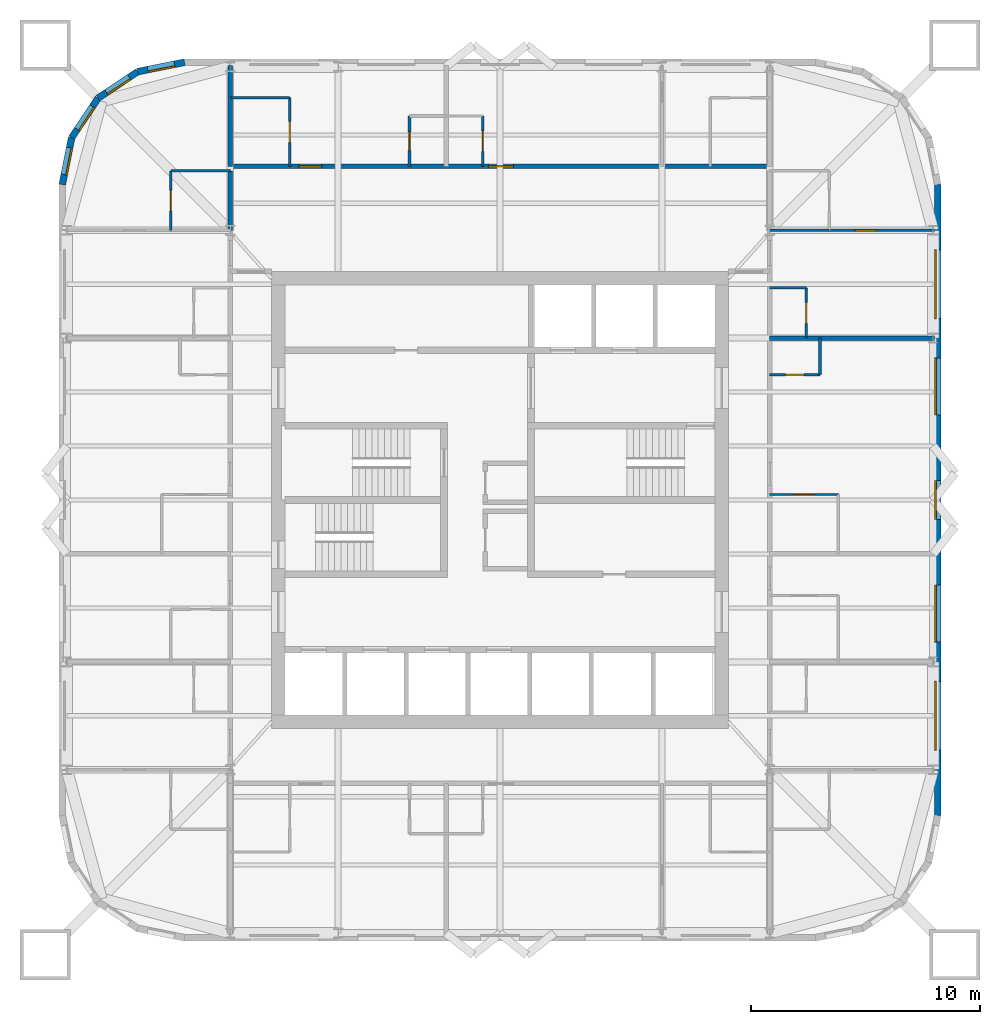
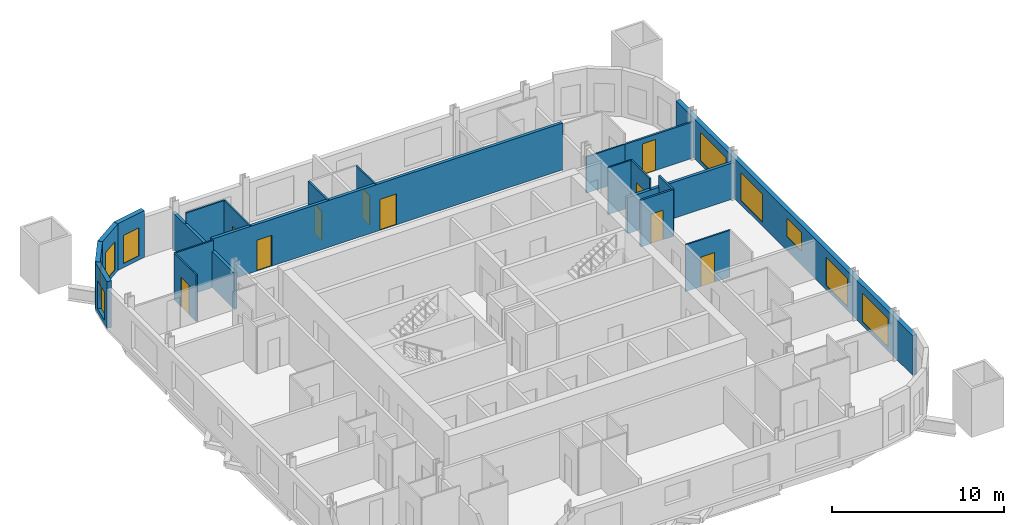
# One storey, part 6 of 8: 22 walls, 10 doors, 9 windows, 19 openings.
"""IFC4 building model written with IfcOpenShell, lengths in metres."""

from ifc_helpers import new_model, si_unit, direction, frame, frame_2d, origin, place, context, subcontext, project, spatial, rectangle, extrude, material, layer, layer_set, type_object, element, fill, save


model = new_model("IFC4")

# Units and contexts
model_context = context("Model", 3, precision=1e-05, world=origin(), true_north=direction((0.0, 1.0)))
body_context = subcontext(model_context, "Body", "Model", "MODEL_VIEW")
ifc_project = project(units=[si_unit("LENGTHUNIT", "METRE"), si_unit("AREAUNIT", "SQUARE_METRE"), si_unit("VOLUMEUNIT", "CUBIC_METRE"), si_unit("PLANEANGLEUNIT", "RADIAN"), si_unit("MASSUNIT", "GRAM", prefix="KILO")], contexts=[model_context])

# Site, building, storey
site_placement = place(None, origin())
site = spatial("IfcSite", under=ifc_project, at=site_placement, CompositionType="ELEMENT")
building_placement = place(site_placement, origin())
building = spatial("IfcBuilding", under=site, at=building_placement, Name="Turquesa Mirador Hotel Tower", CompositionType="ELEMENT")
storey_placement = place(building_placement, frame((0.0, 0.0, 193.300048828125)))
storey = spatial("IfcBuildingStorey", under=building, at=storey_placement, Name="L52", CompositionType="ELEMENT", Elevation=193.300048828125)

# Wall, opening, door
ifc_material_1 = material(Name="Gypsum board on steel studs", Category="steel")
ifc_layer_1 = layer(ifc_material_1, 0.10009765625)
ifc_layer_set_1 = layer_set([ifc_layer_1], Name="BATHROOM WALL 100")
wall_type_1 = type_object("IfcWallType", Name="BATHROOM WALL 100", PredefinedType="PARTITIONING", material=ifc_layer_set_1)
wall_1_placement = place(storey_placement, frame((66.800048828125, 45.239990234375, 0.0), z_axis=(0.0, 0.0, 1.0), x_axis=(1.0, 0.0, 0.0)))
wall_1 = element("IfcWall", 1, at=wall_1_placement, inside=storey, type_object=wall_type_1, Name="Partition L52 021", PredefinedType="PARTITIONING", context=body_context, shape_type="SweptSolid", body=[
    extrude(rectangle(XDim=3.0, YDim=0.10009765625, at=frame_2d((1.5, 0.0))), origin(), (0.0, 0.0, 1.0), 3.329833984375),
])
opening_1_placement = place(wall_1_placement, frame((1.050048828125, 0.0, 0.0)))
opening_1 = element("IfcOpeningElement", 2, at=opening_1_placement, cuts=wall_1, Name="Opening D02", PredefinedType="OPENING", context=body_context, shape_type="SweptSolid", body=[
    extrude(rectangle(XDim=0.89990234375, YDim=2.10009765625, at=frame_2d((0.449951171875, 1.050048828125))), frame((0.0, 0.06005859375, 0.0), z_axis=(0.0, -1.0, 0.0), x_axis=(1.0, 0.0, 0.0)), (0.0, 0.0, 1.0), 0.1201171875),
])
ifc_material_2 = material(Name="Timber veneered door", Category="wood")
door_type_1 = type_object("IfcDoorType", Name="DOOR 900X2100 EN-SUITE", OperationType="SINGLE_SWING_RIGHT", PredefinedType="DOOR", material=ifc_material_2)
door_1_placement = place(opening_1_placement, origin())
door_1 = element("IfcDoor", 3, at=door_1_placement, inside=storey, type_object=door_type_1, Name="Door 5206B", OperationType="SINGLE_SWING_RIGHT", OverallHeight=2.10009765625, OverallWidth=0.89990234375, PredefinedType="DOOR", context=body_context, shape_type="SweptSolid", body=[
    extrude(rectangle(XDim=0.89990234375, YDim=2.10009765625, at=frame_2d((0.449951171875, 1.050048828125))), frame((0.0, 0.02490234375, 0.0), z_axis=(0.0, -1.0, 0.0), x_axis=(1.0, 0.0, 0.0)), (0.0, 0.0, 1.0), 0.050048828125),
])
fill(opening_1, door_1)

# Walls
wall_2_placement = place(storey_placement, frame((66.800048828125, 56.800048828125, 0.0), z_axis=(0.0, 0.0, 1.0), x_axis=(1.0, 0.0, 0.0)))
element("IfcWall", 4, at=wall_2_placement, inside=storey, type_object=wall_type_1, Name="Partition L52 025", PredefinedType="PARTITIONING", context=body_context, shape_type="SweptSolid", body=[
    extrude(rectangle(XDim=2.599853515625, YDim=0.10009765625, at=frame_2d((1.2998046875, 0.0))), origin(), (0.0, 0.0, 1.0), 2.572998046875),
])
wall_3_placement = place(storey_placement, frame((40.60009765625, 59.39990234375, 0.0), z_axis=(0.0, 0.0, 1.0), x_axis=(1.0, 0.0, 0.0)))
element("IfcWall", 5, at=wall_3_placement, inside=storey, type_object=wall_type_1, Name="Partition L52 028", PredefinedType="PARTITIONING", context=body_context, shape_type="SweptSolid", body=[
    extrude(rectangle(XDim=2.599853515625, YDim=0.10009765625, at=frame_2d((1.2998046875, 0.0))), origin(), (0.0, 0.0, 1.0), 3.329833984375),
])
wall_4_placement = place(storey_placement, frame((43.199951171875, 62.60009765625, 0.0), z_axis=(0.0, 0.0, 1.0), x_axis=(1.0, 0.0, 0.0)))
element("IfcWall", 6, at=wall_4_placement, inside=storey, type_object=wall_type_1, Name="Partition L52 033", PredefinedType="PARTITIONING", context=body_context, shape_type="SweptSolid", body=[
    extrude(rectangle(XDim=2.60009765625, YDim=0.10009765625, at=frame_2d((1.300048828125, 0.0))), origin(), (0.0, 0.0, 1.0), 3.329833984375),
])
wall_5_placement = place(storey_placement, frame((66.800048828125, 54.280029296875, 0.0), z_axis=(0.0, 0.0, 1.0), x_axis=(1.0, 0.0, 0.0)))
element("IfcWall", 7, at=wall_5_placement, inside=storey, type_object=wall_type_1, Name="Partition L52 040", PredefinedType="PARTITIONING", context=body_context, shape_type="SweptSolid", body=[
    extrude(rectangle(XDim=1.599853515625, YDim=0.10009765625, at=frame_2d((0.7998046875, 0.0))), origin(), (0.0, 0.0, 1.0), 3.329833984375),
])

# Wall, opening, door
wall_6_placement = place(storey_placement, frame((54.239990234375, 59.60009765625, 0.0), z_axis=(0.0, 0.0, 1.0), x_axis=(0.0, 1.0, 0.0)))
wall_6 = element("IfcWall", 8, at=wall_6_placement, inside=storey, type_object=wall_type_1, Name="Partition L52 042", PredefinedType="PARTITIONING", context=body_context, shape_type="SweptSolid", body=[
    extrude(rectangle(XDim=2.199951171875, YDim=0.10009765625, at=frame_2d((1.10009765625, 0.0))), origin(), (0.0, 0.0, 1.0), 3.329833984375),
])
opening_2_placement = place(wall_6_placement, frame((0.64990234375, 0.0, 0.0)))
opening_2 = element("IfcOpeningElement", 9, at=opening_2_placement, cuts=wall_6, Name="Opening D06", PredefinedType="OPENING", context=body_context, shape_type="SweptSolid", body=[
    extrude(rectangle(XDim=0.89990234375, YDim=2.10009765625, at=frame_2d((0.449951171875, 1.050048828125))), frame((0.0, 0.06005859375, 0.0), z_axis=(0.0, -1.0, 0.0), x_axis=(1.0, 0.0, 0.0)), (0.0, 0.0, 1.0), 0.1201171875),
])
ifc_material_3 = material(Name="Laminate door", Category="wood")
door_type_2 = type_object("IfcDoorType", Name="DOOR 900X2100 WC", OperationType="SINGLE_SWING_LEFT", PredefinedType="DOOR", material=ifc_material_3)
door_2_placement = place(opening_2_placement, origin())
door_2 = element("IfcDoor", 10, at=door_2_placement, inside=storey, type_object=door_type_2, Name="Door 5202W", OperationType="SINGLE_SWING_LEFT", OverallHeight=2.10009765625, OverallWidth=0.89990234375, PredefinedType="DOOR", context=body_context, shape_type="SweptSolid", body=[
    extrude(rectangle(XDim=0.89990234375, YDim=2.10009765625, at=frame_2d((0.449951171875, 1.050048828125))), frame((0.0, 0.02490234375, 0.0), z_axis=(0.0, -1.0, 0.0), x_axis=(1.0, 0.0, 0.0)), (0.0, 0.0, 1.0), 0.050048828125),
])
fill(opening_2, door_2)

wall_7_placement = place(storey_placement, frame((40.60009765625, 56.800048828125, 0.0), z_axis=(0.0, 0.0, 1.0), x_axis=(0.0, 1.0, 0.0)))
wall_7 = element("IfcWall", 11, at=wall_7_placement, inside=storey, type_object=wall_type_1, Name="Partition L52 051", PredefinedType="PARTITIONING", context=body_context, shape_type="SweptSolid", body=[
    extrude(rectangle(XDim=2.599853515625, YDim=0.10009765625, at=frame_2d((1.2998046875, 0.0))), origin(), (0.0, 0.0, 1.0), 3.329833984375),
])
opening_3_placement = place(wall_7_placement, frame((0.85009765625, 0.0, 0.0)))
opening_3 = element("IfcOpeningElement", 12, at=opening_3_placement, cuts=wall_7, Name="Opening D02", PredefinedType="OPENING", context=body_context, shape_type="SweptSolid", body=[
    extrude(rectangle(XDim=0.89990234375, YDim=2.10009765625, at=frame_2d((0.449951171875, 1.050048828125))), frame((0.0, 0.06005859375, 0.0), z_axis=(0.0, -1.0, 0.0), x_axis=(1.0, 0.0, 0.0)), (0.0, 0.0, 1.0), 0.1201171875),
])
door_3_placement = place(opening_3_placement, origin())
door_3 = element("IfcDoor", 13, at=door_3_placement, inside=storey, type_object=door_type_1, Name="Door 5210B", OperationType="SINGLE_SWING_RIGHT", OverallHeight=2.10009765625, OverallWidth=0.89990234375, PredefinedType="DOOR", context=body_context, shape_type="SweptSolid", body=[
    extrude(rectangle(XDim=0.89990234375, YDim=2.10009765625, at=frame_2d((0.449951171875, 1.050048828125))), frame((0.0, 0.02490234375, 0.0), z_axis=(0.0, -1.0, 0.0), x_axis=(1.0, 0.0, 0.0)), (0.0, 0.0, 1.0), 0.050048828125),
])
fill(opening_3, door_3)

wall_8_placement = place(storey_placement, frame((45.800048828125, 59.60009765625, 0.0), z_axis=(0.0, 0.0, 1.0), x_axis=(0.0, 1.0, 0.0)))
wall_8 = element("IfcWall", 14, at=wall_8_placement, inside=storey, type_object=wall_type_1, Name="Partition L52 058", PredefinedType="PARTITIONING", context=body_context, shape_type="SweptSolid", body=[
    extrude(rectangle(XDim=3.0, YDim=0.10009765625, at=frame_2d((1.5, 0.0))), origin(), (0.0, 0.0, 1.0), 3.329833984375),
])
opening_4_placement = place(wall_8_placement, frame((1.050048828125, 0.0, 0.0)))
opening_4 = element("IfcOpeningElement", 15, at=opening_4_placement, cuts=wall_8, Name="Opening D02", PredefinedType="OPENING", context=body_context, shape_type="SweptSolid", body=[
    extrude(rectangle(XDim=0.89990234375, YDim=2.10009765625, at=frame_2d((0.449951171875, 1.050048828125))), frame((0.0, 0.06005859375, 0.0), z_axis=(0.0, -1.0, 0.0), x_axis=(1.0, 0.0, 0.0)), (0.0, 0.0, 1.0), 0.1201171875),
])
door_4_placement = place(opening_4_placement, origin())
door_4 = element("IfcDoor", 16, at=door_4_placement, inside=storey, type_object=door_type_1, Name="Door 5201B", OperationType="SINGLE_SWING_RIGHT", OverallHeight=2.10009765625, OverallWidth=0.89990234375, PredefinedType="DOOR", context=body_context, shape_type="SweptSolid", body=[
    extrude(rectangle(XDim=0.89990234375, YDim=2.10009765625, at=frame_2d((0.449951171875, 1.050048828125))), frame((0.0, 0.02490234375, 0.0), z_axis=(0.0, -1.0, 0.0), x_axis=(1.0, 0.0, 0.0)), (0.0, 0.0, 1.0), 0.050048828125),
])
fill(opening_4, door_4)

wall_9_placement = place(storey_placement, frame((68.39990234375, 52.080078125, 0.0), z_axis=(0.0, 0.0, 1.0), x_axis=(0.0, 1.0, 0.0)))
wall_9 = element("IfcWall", 17, at=wall_9_placement, inside=storey, type_object=wall_type_1, Name="Partition L52 063", PredefinedType="PARTITIONING", context=body_context, shape_type="SweptSolid", body=[
    extrude(rectangle(XDim=2.199951171875, YDim=0.10009765625, at=frame_2d((1.10009765625, 0.0))), origin(), (0.0, 0.0, 1.0), 3.329833984375),
])
opening_5_placement = place(wall_9_placement, frame((0.64990234375, 0.0, 0.0)))
opening_5 = element("IfcOpeningElement", 18, at=opening_5_placement, cuts=wall_9, Name="Opening D06", PredefinedType="OPENING", context=body_context, shape_type="SweptSolid", body=[
    extrude(rectangle(XDim=0.89990234375, YDim=2.10009765625, at=frame_2d((0.449951171875, 1.050048828125))), frame((0.0, 0.06005859375, 0.0), z_axis=(0.0, -1.0, 0.0), x_axis=(1.0, 0.0, 0.0)), (0.0, 0.0, 1.0), 0.1201171875),
])
door_5_placement = place(opening_5_placement, origin())
door_5 = element("IfcDoor", 19, at=door_5_placement, inside=storey, type_object=door_type_2, Name="Door 5209W", OperationType="SINGLE_SWING_LEFT", OverallHeight=2.10009765625, OverallWidth=0.89990234375, PredefinedType="DOOR", context=body_context, shape_type="SweptSolid", body=[
    extrude(rectangle(XDim=0.89990234375, YDim=2.10009765625, at=frame_2d((0.449951171875, 1.050048828125))), frame((0.0, 0.02490234375, 0.0), z_axis=(0.0, -1.0, 0.0), x_axis=(1.0, 0.0, 0.0)), (0.0, 0.0, 1.0), 0.050048828125),
])
fill(opening_5, door_5)

# Wall, openings, doors
ifc_material_4 = material(Name="Fire-rated gypsum board on steel studs", Category="steel")
ifc_layer_2 = layer(ifc_material_4, 0.199951171875)
ifc_layer_set_2 = layer_set([ifc_layer_2], Name="CORRIDOR WALL 200")
wall_type_2 = type_object("IfcWallType", Name="CORRIDOR WALL 200", PredefinedType="PARTITIONING", material=ifc_layer_set_2)
wall_10_placement = place(storey_placement, frame((43.199951171875, 59.60009765625, 0.0), z_axis=(0.0, 0.0, 1.0), x_axis=(1.0, 0.0, 0.0)))
wall_10 = element("IfcWall", 20, at=wall_10_placement, inside=storey, type_object=wall_type_2, Name="Partition L52 030", PredefinedType="PARTITIONING", context=body_context, shape_type="SweptSolid", body=[
    extrude(rectangle(XDim=23.60009765625, YDim=0.199951171875, at=frame_2d((11.800048828125, 0.0))), origin(), (0.0, 0.0, 1.0), 3.329833984375),
])
opening_6_placement = place(wall_10_placement, frame((3.0, 0.0, 0.0)))
opening_6 = element("IfcOpeningElement", 21, at=opening_6_placement, cuts=wall_10, Name="Opening D01", PredefinedType="OPENING", context=body_context, shape_type="SweptSolid", body=[
    extrude(rectangle(XDim=1.0, YDim=2.199951171875, at=frame_2d((0.5, 1.10009765625))), frame((0.0, 0.10986328125, 0.0), z_axis=(0.0, -1.0, 0.0), x_axis=(1.0, 0.0, 0.0)), (0.0, 0.0, 1.0), 0.219970703125),
])
opening_7_placement = place(wall_10_placement, frame((11.2900390625, 0.0, 0.0)))
opening_7 = element("IfcOpeningElement", 22, at=opening_7_placement, cuts=wall_10, Name="Opening D15", PredefinedType="OPENING", context=body_context, shape_type="SweptSolid", body=[
    extrude(rectangle(XDim=1.10009765625, YDim=2.199951171875, at=frame_2d((0.550048828125, 1.10009765625))), frame((0.0, 0.10986328125, 0.0), z_axis=(0.0, -1.0, 0.0), x_axis=(1.0, 0.0, 0.0)), (0.0, 0.0, 1.0), 0.219970703125),
])
ifc_material_5 = material(Name="Timber veneered fire door", Category="wood")
door_type_3 = type_object("IfcDoorType", Name="DOOR 1000X2200 GUEST ENTRY", OperationType="SINGLE_SWING_LEFT", PredefinedType="DOOR", material=ifc_material_5)
door_6_placement = place(opening_6_placement, origin())
door_6 = element("IfcDoor", 23, at=door_6_placement, inside=storey, type_object=door_type_3, Name="Door 5201", OperationType="SINGLE_SWING_LEFT", OverallHeight=2.199951171875, OverallWidth=1.0, PredefinedType="DOOR", context=body_context, shape_type="SweptSolid", body=[
    extrude(rectangle(XDim=1.0, YDim=2.199951171875, at=frame_2d((0.5, 1.10009765625))), frame((0.0, 0.02490234375, 0.0), z_axis=(0.0, -1.0, 0.0), x_axis=(1.0, 0.0, 0.0)), (0.0, 0.0, 1.0), 0.050048828125),
])
fill(opening_6, door_6)
ifc_material_6 = material(Name="Timber veneered fire door", Category="wood")
door_type_4 = type_object("IfcDoorType", Name="DOOR 1100X2200 SUITE ENTRY", OperationType="SINGLE_SWING_LEFT", PredefinedType="DOOR", material=ifc_material_6)
door_7_placement = place(opening_7_placement, origin())
door_7 = element("IfcDoor", 24, at=door_7_placement, inside=storey, type_object=door_type_4, Name="Door 5202", OperationType="SINGLE_SWING_LEFT", OverallHeight=2.199951171875, OverallWidth=1.10009765625, PredefinedType="DOOR", context=body_context, shape_type="SweptSolid", body=[
    extrude(rectangle(XDim=1.10009765625, YDim=2.199951171875, at=frame_2d((0.550048828125, 1.10009765625))), frame((0.0, 0.02490234375, 0.0), z_axis=(0.0, -1.0, 0.0), x_axis=(1.0, 0.0, 0.0)), (0.0, 0.0, 1.0), 0.050048828125),
])
fill(opening_7, door_7)

# Wall
wall_11_placement = place(storey_placement, frame((43.199951171875, 56.780029296875, 0.0), z_axis=(0.0, 0.0, 1.0), x_axis=(0.0, 1.0, 0.0)))
element("IfcWall", 25, at=wall_11_placement, inside=storey, type_object=wall_type_2, Name="Partition L52 074", PredefinedType="PARTITIONING", context=body_context, shape_type="SweptSolid", body=[
    extrude(rectangle(XDim=2.619873046875, YDim=0.199951171875, at=frame_2d((1.31005859375, 0.0))), origin(), (0.0, 0.0, 1.0), 2.572998046875),
])

# Wall, openings, windows
ifc_material_7 = material(Name="Limestone cladding on concrete block", Category="masonry")
ifc_layer_3 = layer(ifc_material_7, 0.300048828125)
ifc_layer_set_3 = layer_set([ifc_layer_3], Name="FACADE WALL 300 STONE SCREEN")
wall_type_3 = type_object("IfcWallType", Name="FACADE WALL 300 STONE SCREEN", PredefinedType="SOLIDWALL", material=ifc_layer_set_3)
wall_12_placement = place(storey_placement, frame((74.14990234375, 31.199951171875, 0.0), z_axis=(0.0, 0.0, 1.0), x_axis=(0.0, 1.0, 0.0)))
wall_12 = element("IfcWall", 26, at=wall_12_placement, inside=storey, type_object=wall_type_3, Name="Facade wall L52 04", PredefinedType="SOLIDWALL", context=body_context, shape_type="SweptSolid", body=[
    extrude(rectangle(XDim=27.60009765625, YDim=0.300048828125, at=frame_2d((13.800048828125, 0.0))), origin(), (0.0, 0.0, 1.0), 2.829833984375),
])
opening_8_placement = place(wall_12_placement, frame((2.860107421875, 0.0, 0.300048828125)))
opening_8 = element("IfcOpeningElement", 27, at=opening_8_placement, cuts=wall_12, Name="Opening WN1", PredefinedType="OPENING", context=body_context, shape_type="SweptSolid", body=[
    extrude(rectangle(XDim=3.0, YDim=2.0, at=frame_2d((1.5, 1.0))), frame((0.0, 0.159912109375, 0.0), z_axis=(0.0, -1.0, 0.0), x_axis=(1.0, 0.0, 0.0)), (0.0, 0.0, 1.0), 0.320068359375),
])
opening_9_placement = place(wall_12_placement, frame((7.580078125, 0.0, 0.300048828125)))
opening_9 = element("IfcOpeningElement", 28, at=opening_9_placement, cuts=wall_12, Name="Opening WN52", PredefinedType="OPENING", context=body_context, shape_type="SweptSolid", body=[
    extrude(rectangle(XDim=2.5, YDim=2.0, at=frame_2d((1.25, 1.0))), frame((0.0, 0.159912109375, 0.0), z_axis=(0.0, -1.0, 0.0), x_axis=(1.0, 0.0, 0.0)), (0.0, 0.0, 1.0), 0.320068359375),
])
opening_10_placement = place(wall_12_placement, frame((12.949951171875, 0.0, 1.0)))
opening_10 = element("IfcOpeningElement", 29, at=opening_10_placement, cuts=wall_12, Name="Opening WN45", PredefinedType="OPENING", context=body_context, shape_type="SweptSolid", body=[
    extrude(rectangle(XDim=1.699951171875, YDim=1.300048828125, at=frame_2d((0.85009765625, 0.64990234375))), frame((0.0, 0.159912109375, 0.0), z_axis=(0.0, -1.0, 0.0), x_axis=(1.0, 0.0, 0.0)), (0.0, 0.0, 1.0), 0.320068359375),
])
opening_11_placement = place(wall_12_placement, frame((17.52001953125, 0.0, 0.300048828125)))
opening_11 = element("IfcOpeningElement", 30, at=opening_11_placement, cuts=wall_12, Name="Opening WN52", PredefinedType="OPENING", context=body_context, shape_type="SweptSolid", body=[
    extrude(rectangle(XDim=2.5, YDim=2.0, at=frame_2d((1.25, 1.0))), frame((0.0, 0.159912109375, 0.0), z_axis=(0.0, -1.0, 0.0), x_axis=(1.0, 0.0, 0.0)), (0.0, 0.0, 1.0), 0.320068359375),
])
opening_12_placement = place(wall_12_placement, frame((21.739990234375, 0.0, 0.300048828125)))
opening_12 = element("IfcOpeningElement", 31, at=opening_12_placement, cuts=wall_12, Name="Opening WN1", PredefinedType="OPENING", context=body_context, shape_type="SweptSolid", body=[
    extrude(rectangle(XDim=3.0, YDim=2.0, at=frame_2d((1.5, 1.0))), frame((0.0, 0.159912109375, 0.0), z_axis=(0.0, -1.0, 0.0), x_axis=(1.0, 0.0, 0.0)), (0.0, 0.0, 1.0), 0.320068359375),
])
ifc_material_8 = material(Name="Ceramic-fritted laminated glass", Category="glass")
window_type_1 = type_object("IfcWindowType", Name="FRITTED WINDOW 1700X1300", PartitioningType="DOUBLE_PANEL_HORIZONTAL", PredefinedType="WINDOW", material=ifc_material_8)
window_1_placement = place(opening_10_placement, origin())
window_1 = element("IfcWindow", 32, at=window_1_placement, inside=storey, type_object=window_type_1, Name="Window L52", OverallHeight=1.300048828125, OverallWidth=1.699951171875, PartitioningType="SINGLE_PANEL", PredefinedType="WINDOW", context=body_context, shape_type="SweptSolid", body=[
    extrude(rectangle(XDim=1.699951171875, YDim=1.300048828125, at=frame_2d((0.85009765625, 0.64990234375))), frame((0.0, 0.130126953125, 0.0), z_axis=(0.0, -1.0, 0.0), x_axis=(1.0, 0.0, 0.0)), (0.0, 0.0, 1.0), 0.06005859375),
])
fill(opening_10, window_1)
ifc_material_9 = material(Name="Ceramic-fritted laminated glass", Category="glass")
window_type_2 = type_object("IfcWindowType", Name="FRITTED WINDOW 2500X2000", PartitioningType="DOUBLE_PANEL_HORIZONTAL", PredefinedType="WINDOW", material=ifc_material_9)
window_2_placement = place(opening_9_placement, origin())
window_2 = element("IfcWindow", 33, at=window_2_placement, inside=storey, type_object=window_type_2, Name="Window L52", OverallHeight=2.0, OverallWidth=2.5, PartitioningType="SINGLE_PANEL", PredefinedType="WINDOW", context=body_context, shape_type="SweptSolid", body=[
    extrude(rectangle(XDim=2.5, YDim=2.0, at=frame_2d((1.25, 1.0))), frame((0.0, 0.130126953125, 0.0), z_axis=(0.0, -1.0, 0.0), x_axis=(1.0, 0.0, 0.0)), (0.0, 0.0, 1.0), 0.06005859375),
])
fill(opening_9, window_2)
window_3_placement = place(opening_11_placement, origin())
window_3 = element("IfcWindow", 34, at=window_3_placement, inside=storey, type_object=window_type_2, Name="Window L52", OverallHeight=2.0, OverallWidth=2.5, PartitioningType="SINGLE_PANEL", PredefinedType="WINDOW", context=body_context, shape_type="SweptSolid", body=[
    extrude(rectangle(XDim=2.5, YDim=2.0, at=frame_2d((1.25, 1.0))), frame((0.0, 0.130126953125, 0.0), z_axis=(0.0, -1.0, 0.0), x_axis=(1.0, 0.0, 0.0)), (0.0, 0.0, 1.0), 0.06005859375),
])
fill(opening_11, window_3)
ifc_material_10 = material(Name="Ceramic-fritted laminated glass", Category="glass")
window_type_3 = type_object("IfcWindowType", Name="FRITTED WINDOW 3000X2000", PartitioningType="DOUBLE_PANEL_HORIZONTAL", PredefinedType="WINDOW", material=ifc_material_10)
window_4_placement = place(opening_8_placement, origin())
window_4 = element("IfcWindow", 35, at=window_4_placement, inside=storey, type_object=window_type_3, Name="Window L52", OverallHeight=2.0, OverallWidth=3.0, PartitioningType="SINGLE_PANEL", PredefinedType="WINDOW", context=body_context, shape_type="SweptSolid", body=[
    extrude(rectangle(XDim=3.0, YDim=2.0, at=frame_2d((1.5, 1.0))), frame((0.0, 0.130126953125, 0.0), z_axis=(0.0, -1.0, 0.0), x_axis=(1.0, 0.0, 0.0)), (0.0, 0.0, 1.0), 0.06005859375),
])
fill(opening_8, window_4)
window_5_placement = place(opening_12_placement, origin())
window_5 = element("IfcWindow", 36, at=window_5_placement, inside=storey, type_object=window_type_3, Name="Window L52", OverallHeight=2.0, OverallWidth=3.0, PartitioningType="SINGLE_PANEL", PredefinedType="WINDOW", context=body_context, shape_type="SweptSolid", body=[
    extrude(rectangle(XDim=3.0, YDim=2.0, at=frame_2d((1.5, 1.0))), frame((0.0, 0.130126953125, 0.0), z_axis=(0.0, -1.0, 0.0), x_axis=(1.0, 0.0, 0.0)), (0.0, 0.0, 1.0), 0.06005859375),
])
fill(opening_12, window_5)

# Wall, opening, window
wall_13_placement = place(storey_placement, frame((41.199951171875, 64.14990234375, 0.0), z_axis=(0.0, 0.0, 1.0), x_axis=(-0.980787050784, -0.195081421501, 0.0)))
wall_13 = element("IfcWall", 37, at=wall_13_placement, inside=storey, type_object=wall_type_3, Name="Facade wall L52 10", PredefinedType="SOLIDWALL", context=body_context, shape_type="SweptSolid", body=[
    extrude(rectangle(XDim=2.08740234375, YDim=0.300048828125, at=frame_2d((1.043701171875, 0.0))), origin(), (0.0, 0.0, 1.0), 3.329833984375),
])
opening_13_placement = place(wall_13_placement, frame((0.443603515625, 0.0, 0.300048828125)))
opening_13 = element("IfcOpeningElement", 38, at=opening_13_placement, cuts=wall_13, Name="Opening WN4", PredefinedType="OPENING", context=body_context, shape_type="SweptSolid", body=[
    extrude(rectangle(XDim=1.199951171875, YDim=2.0, at=frame_2d((0.60009765625, 1.0))), frame((0.0, 0.159912109375, 0.0), z_axis=(0.0, -1.0, 0.0), x_axis=(1.0, 0.0, 0.0)), (0.0, 0.0, 1.0), 0.320068359375),
])
ifc_material_11 = material(Name="Ceramic-fritted laminated glass", Category="glass")
window_type_4 = type_object("IfcWindowType", Name="FRITTED CORNER WINDOW 1200X2000", PartitioningType="DOUBLE_PANEL_HORIZONTAL", PredefinedType="WINDOW", material=ifc_material_11)
window_6_placement = place(opening_13_placement, origin())
window_6 = element("IfcWindow", 39, at=window_6_placement, inside=storey, type_object=window_type_4, Name="Window L52", OverallHeight=2.0, OverallWidth=1.199951171875, PartitioningType="SINGLE_PANEL", PredefinedType="WINDOW", context=body_context, shape_type="SweptSolid", body=[
    extrude(rectangle(XDim=1.199951171875, YDim=2.0, at=frame_2d((0.60009765625, 1.0))), frame((0.0, 0.130126953125, 0.0), z_axis=(0.0, -1.0, 0.0), x_axis=(1.0, 0.0, 0.0)), (0.0, 0.0, 1.0), 0.06005859375),
])
fill(opening_13, window_6)

wall_14_placement = place(storey_placement, frame((39.152587890625, 63.74267578125, 0.0), z_axis=(0.0, 0.0, 1.0), x_axis=(-0.831474039234, -0.555563607591, 0.0)))
wall_14 = element("IfcWall", 40, at=wall_14_placement, inside=storey, type_object=wall_type_3, Name="Facade wall L52 11", PredefinedType="SOLIDWALL", context=body_context, shape_type="SweptSolid", body=[
    extrude(rectangle(XDim=2.08740234375, YDim=0.300048828125, at=frame_2d((1.043701171875, 0.0))), origin(), (0.0, 0.0, 1.0), 3.329833984375),
])
opening_14_placement = place(wall_14_placement, frame((0.443603515625, 0.0, 0.300048828125)))
opening_14 = element("IfcOpeningElement", 41, at=opening_14_placement, cuts=wall_14, Name="Opening WN4", PredefinedType="OPENING", context=body_context, shape_type="SweptSolid", body=[
    extrude(rectangle(XDim=1.199951171875, YDim=2.0, at=frame_2d((0.60009765625, 1.0))), frame((0.0, 0.159912109375, 0.0), z_axis=(0.0, -1.0, 0.0), x_axis=(1.0, 0.0, 0.0)), (0.0, 0.0, 1.0), 0.320068359375),
])
window_7_placement = place(opening_14_placement, origin())
window_7 = element("IfcWindow", 42, at=window_7_placement, inside=storey, type_object=window_type_4, Name="Window L52", OverallHeight=2.0, OverallWidth=1.199951171875, PartitioningType="SINGLE_PANEL", PredefinedType="WINDOW", context=body_context, shape_type="SweptSolid", body=[
    extrude(rectangle(XDim=1.199951171875, YDim=2.0, at=frame_2d((0.60009765625, 1.0))), frame((0.0, 0.130126953125, 0.0), z_axis=(0.0, -1.0, 0.0), x_axis=(1.0, 0.0, 0.0)), (0.0, 0.0, 1.0), 0.06005859375),
])
fill(opening_14, window_7)

wall_15_placement = place(storey_placement, frame((37.4169921875, 62.5830078125, 0.0), z_axis=(0.0, 0.0, 1.0), x_axis=(-0.555563607591, -0.831474039234, 0.0)))
wall_15 = element("IfcWall", 43, at=wall_15_placement, inside=storey, type_object=wall_type_3, Name="Facade wall L52 12", PredefinedType="SOLIDWALL", context=body_context, shape_type="SweptSolid", body=[
    extrude(rectangle(XDim=2.08740234375, YDim=0.300048828125, at=frame_2d((1.043701171875, 0.0))), origin(), (0.0, 0.0, 1.0), 3.329833984375),
])
opening_15_placement = place(wall_15_placement, frame((0.443603515625, 0.0, 0.300048828125)))
opening_15 = element("IfcOpeningElement", 44, at=opening_15_placement, cuts=wall_15, Name="Opening WN4", PredefinedType="OPENING", context=body_context, shape_type="SweptSolid", body=[
    extrude(rectangle(XDim=1.199951171875, YDim=2.0, at=frame_2d((0.60009765625, 1.0))), frame((0.0, 0.159912109375, 0.0), z_axis=(0.0, -1.0, 0.0), x_axis=(1.0, 0.0, 0.0)), (0.0, 0.0, 1.0), 0.320068359375),
])
window_8_placement = place(opening_15_placement, origin())
window_8 = element("IfcWindow", 45, at=window_8_placement, inside=storey, type_object=window_type_4, Name="Window L52", OverallHeight=2.0, OverallWidth=1.199951171875, PartitioningType="SINGLE_PANEL", PredefinedType="WINDOW", context=body_context, shape_type="SweptSolid", body=[
    extrude(rectangle(XDim=1.199951171875, YDim=2.0, at=frame_2d((0.60009765625, 1.0))), frame((0.0, 0.130126953125, 0.0), z_axis=(0.0, -1.0, 0.0), x_axis=(1.0, 0.0, 0.0)), (0.0, 0.0, 1.0), 0.06005859375),
])
fill(opening_15, window_8)

wall_16_placement = place(storey_placement, frame((36.25732421875, 60.847412109375, 0.0), z_axis=(0.0, 0.0, 1.0), x_axis=(-0.195081421501, -0.980787050784, 0.0)))
wall_16 = element("IfcWall", 46, at=wall_16_placement, inside=storey, type_object=wall_type_3, Name="Facade wall L52 13", PredefinedType="SOLIDWALL", context=body_context, shape_type="SweptSolid", body=[
    extrude(rectangle(XDim=2.08740234375, YDim=0.300048828125, at=frame_2d((1.043701171875, 0.0))), origin(), (0.0, 0.0, 1.0), 3.329833984375),
])
opening_16_placement = place(wall_16_placement, frame((0.443603515625, 0.0, 0.300048828125)))
opening_16 = element("IfcOpeningElement", 47, at=opening_16_placement, cuts=wall_16, Name="Opening WN4", PredefinedType="OPENING", context=body_context, shape_type="SweptSolid", body=[
    extrude(rectangle(XDim=1.199951171875, YDim=2.0, at=frame_2d((0.60009765625, 1.0))), frame((0.0, 0.159912109375, 0.0), z_axis=(0.0, -1.0, 0.0), x_axis=(1.0, 0.0, 0.0)), (0.0, 0.0, 1.0), 0.320068359375),
])
window_9_placement = place(opening_16_placement, origin())
window_9 = element("IfcWindow", 48, at=window_9_placement, inside=storey, type_object=window_type_4, Name="Window L52", OverallHeight=2.0, OverallWidth=1.199951171875, PartitioningType="SINGLE_PANEL", PredefinedType="WINDOW", context=body_context, shape_type="SweptSolid", body=[
    extrude(rectangle(XDim=1.199951171875, YDim=2.0, at=frame_2d((0.60009765625, 1.0))), frame((0.0, 0.130126953125, 0.0), z_axis=(0.0, -1.0, 0.0), x_axis=(1.0, 0.0, 0.0)), (0.0, 0.0, 1.0), 0.06005859375),
])
fill(opening_16, window_9)

# Walls
ifc_material_12 = material(Name="Fire-rated gypsum board on steel studs", Category="steel")
ifc_layer_4 = layer(ifc_material_12, 0.199951171875)
ifc_layer_set_4 = layer_set([ifc_layer_4], Name="PARTY WALL 200")
wall_type_4 = type_object("IfcWallType", Name="PARTY WALL 200", PredefinedType="PARTITIONING", material=ifc_layer_set_4)
wall_17_placement = place(storey_placement, frame((66.800048828125, 52.080078125, 0.0), z_axis=(0.0, 0.0, 1.0), x_axis=(1.0, 0.0, 0.0)))
element("IfcWall", 49, at=wall_17_placement, inside=storey, type_object=wall_type_4, Name="Partition L52 038", PredefinedType="PARTITIONING", context=body_context, shape_type="SweptSolid", body=[
    extrude(rectangle(XDim=7.199951171875, YDim=0.199951171875, at=frame_2d((3.60009765625, 0.0))), origin(), (0.0, 0.0, 1.0), 2.572998046875),
])
wall_18_placement = place(storey_placement, frame((43.199951171875, 59.60009765625, 0.0), z_axis=(0.0, 0.0, 1.0), x_axis=(0.0, 1.0, 0.0)))
element("IfcWall", 50, at=wall_18_placement, inside=storey, type_object=wall_type_4, Name="Partition L52 045", PredefinedType="PARTITIONING", context=body_context, shape_type="SweptSolid", body=[
    extrude(rectangle(XDim=4.39990234375, YDim=0.199951171875, at=frame_2d((2.199951171875, 0.0))), origin(), (0.0, 0.0, 1.0), 2.572998046875),
])

# Wall, opening, door
ifc_material_13 = material(Name="Acoustic gypsum board on steel studs", Category="steel")
ifc_layer_5 = layer(ifc_material_13, 0.125)
ifc_layer_set_5 = layer_set([ifc_layer_5], Name="SUITE PARTITION 125")
wall_type_5 = type_object("IfcWallType", Name="SUITE PARTITION 125", PredefinedType="PARTITIONING", material=ifc_layer_set_5)
wall_19_placement = place(storey_placement, frame((69.39990234375, 56.800048828125, 0.0), z_axis=(0.0, 0.0, 1.0), x_axis=(1.0, 0.0, 0.0)))
wall_19 = element("IfcWall", 51, at=wall_19_placement, inside=storey, type_object=wall_type_5, Name="Partition L52 027", PredefinedType="PARTITIONING", context=body_context, shape_type="SweptSolid", body=[
    extrude(rectangle(XDim=4.60009765625, YDim=0.125, at=frame_2d((2.300048828125, 0.0))), origin(), (0.0, 0.0, 1.0), 2.572998046875),
])
opening_17_placement = place(wall_19_placement, frame((1.14990234375, 0.0, 0.0)))
opening_17 = element("IfcOpeningElement", 52, at=opening_17_placement, cuts=wall_19, Name="Opening D17", PredefinedType="OPENING", context=body_context, shape_type="SweptSolid", body=[
    extrude(rectangle(XDim=0.89990234375, YDim=2.199951171875, at=frame_2d((0.449951171875, 1.10009765625))), frame((0.0, 0.072509765625, 0.0), z_axis=(0.0, -1.0, 0.0), x_axis=(1.0, 0.0, 0.0)), (0.0, 0.0, 1.0), 0.14501953125),
])
ifc_material_14 = material(Name="Timber veneered door", Category="wood")
door_type_5 = type_object("IfcDoorType", Name="DOOR 900X2200 SUITE INTERNAL", OperationType="SINGLE_SWING_LEFT", PredefinedType="DOOR", material=ifc_material_14)
door_8_placement = place(opening_17_placement, origin())
door_8 = element("IfcDoor", 53, at=door_8_placement, inside=storey, type_object=door_type_5, Name="Door 5209R", OperationType="SINGLE_SWING_LEFT", OverallHeight=2.199951171875, OverallWidth=0.89990234375, PredefinedType="DOOR", context=body_context, shape_type="SweptSolid", body=[
    extrude(rectangle(XDim=0.89990234375, YDim=2.199951171875, at=frame_2d((0.449951171875, 1.10009765625))), frame((0.0, 0.02490234375, 0.0), z_axis=(0.0, -1.0, 0.0), x_axis=(1.0, 0.0, 0.0)), (0.0, 0.0, 1.0), 0.050048828125),
])
fill(opening_17, door_8)

wall_20_placement = place(storey_placement, frame((66.800048828125, 50.47998046875, 0.0), z_axis=(0.0, 0.0, 1.0), x_axis=(1.0, 0.0, 0.0)))
wall_20 = element("IfcWall", 54, at=wall_20_placement, inside=storey, type_object=wall_type_5, Name="Partition L52 036", PredefinedType="PARTITIONING", context=body_context, shape_type="SweptSolid", body=[
    extrude(rectangle(XDim=2.199951171875, YDim=0.125, at=frame_2d((1.10009765625, 0.0))), origin(), (0.0, 0.0, 1.0), 3.329833984375),
])
opening_18_placement = place(wall_20_placement, frame((0.699951171875, 0.0, 0.0)))
opening_18 = element("IfcOpeningElement", 55, at=opening_18_placement, cuts=wall_20, Name="Opening D20", PredefinedType="OPENING", context=body_context, shape_type="SweptSolid", body=[
    extrude(rectangle(XDim=0.800048828125, YDim=2.10009765625, at=frame_2d((0.39990234375, 1.050048828125))), frame((0.0, 0.072509765625, 0.0), z_axis=(0.0, -1.0, 0.0), x_axis=(1.0, 0.0, 0.0)), (0.0, 0.0, 1.0), 0.14501953125),
])
ifc_material_15 = material(Name="Timber veneered sliding door", Category="wood")
door_type_6 = type_object("IfcDoorType", Name="DOOR 800X2100 WARDROBE", OperationType="SLIDING_TO_LEFT", PredefinedType="DOOR", material=ifc_material_15)
door_9_placement = place(opening_18_placement, origin())
door_9 = element("IfcDoor", 56, at=door_9_placement, inside=storey, type_object=door_type_6, Name="Door 5206W", OperationType="SLIDING_TO_LEFT", OverallHeight=2.10009765625, OverallWidth=0.800048828125, PredefinedType="DOOR", context=body_context, shape_type="SweptSolid", body=[
    extrude(rectangle(XDim=0.800048828125, YDim=2.10009765625, at=frame_2d((0.39990234375, 1.050048828125))), frame((0.0, 0.02490234375, 0.0), z_axis=(0.0, -1.0, 0.0), x_axis=(1.0, 0.0, 0.0)), (0.0, 0.0, 1.0), 0.050048828125),
])
fill(opening_18, door_9)

wall_21_placement = place(storey_placement, frame((51.0400390625, 59.60009765625, 0.0), z_axis=(0.0, 0.0, 1.0), x_axis=(0.0, 1.0, 0.0)))
wall_21 = element("IfcWall", 57, at=wall_21_placement, inside=storey, type_object=wall_type_5, Name="Partition L52 056", PredefinedType="PARTITIONING", context=body_context, shape_type="SweptSolid", body=[
    extrude(rectangle(XDim=2.199951171875, YDim=0.125, at=frame_2d((1.10009765625, 0.0))), origin(), (0.0, 0.0, 1.0), 3.329833984375),
])
opening_19_placement = place(wall_21_placement, frame((0.699951171875, 0.0, 0.0)))
opening_19 = element("IfcOpeningElement", 58, at=opening_19_placement, cuts=wall_21, Name="Opening D20", PredefinedType="OPENING", context=body_context, shape_type="SweptSolid", body=[
    extrude(rectangle(XDim=0.800048828125, YDim=2.10009765625, at=frame_2d((0.39990234375, 1.050048828125))), frame((0.0, 0.072509765625, 0.0), z_axis=(0.0, -1.0, 0.0), x_axis=(1.0, 0.0, 0.0)), (0.0, 0.0, 1.0), 0.14501953125),
])
door_10_placement = place(opening_19_placement, origin())
door_10 = element("IfcDoor", 59, at=door_10_placement, inside=storey, type_object=door_type_6, Name="Door 5201W", OperationType="SLIDING_TO_LEFT", OverallHeight=2.10009765625, OverallWidth=0.800048828125, PredefinedType="DOOR", context=body_context, shape_type="SweptSolid", body=[
    extrude(rectangle(XDim=0.800048828125, YDim=2.10009765625, at=frame_2d((0.39990234375, 1.050048828125))), frame((0.0, 0.02490234375, 0.0), z_axis=(0.0, -1.0, 0.0), x_axis=(1.0, 0.0, 0.0)), (0.0, 0.0, 1.0), 0.050048828125),
])
fill(opening_19, door_10)

# Wall
wall_22_placement = place(storey_placement, frame((69.0, 50.47998046875, 0.0), z_axis=(0.0, 0.0, 1.0), x_axis=(0.0, 1.0, 0.0)))
element("IfcWall", 60, at=wall_22_placement, inside=storey, type_object=wall_type_5, Name="Partition L52 064", PredefinedType="PARTITIONING", context=body_context, shape_type="SweptSolid", body=[
    extrude(rectangle(XDim=1.60009765625, YDim=0.125, at=frame_2d((0.800048828125, 0.0))), origin(), (0.0, 0.0, 1.0), 3.329833984375),
])

save(model, "model.ifc")
